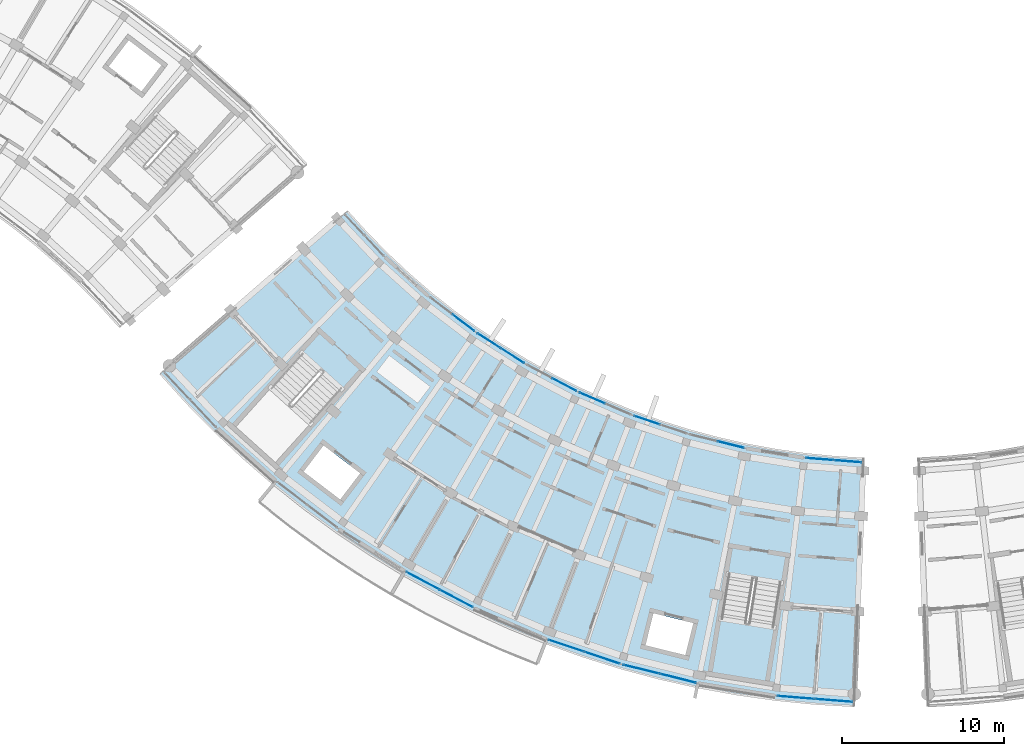
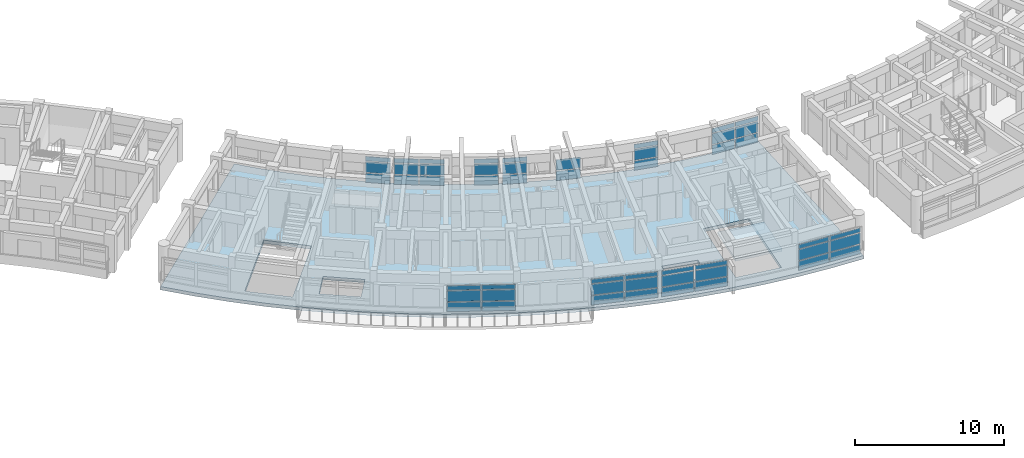
# One storey, part 24 of 55: 50 plates, 2 slabs, 12 elements without a shape of their own.
"""IFC4 building model written with IfcOpenShell, lengths in metres."""

from ifc_helpers import new_model, si_unit, direction, frame, origin, origin_2d, place, context, subcontext, project, spatial, polyline, rectangle, outline, extrude, material, layer, layer_set, type_object, element, aggregate, save


model = new_model("IFC4")

# Units and contexts
model_context = context("Model", 3, precision=1e-05, world=origin(), true_north=direction((0.0, 1.0)))
body_context = subcontext(model_context, "Body", "Model", "MODEL_VIEW")
ifc_project = project(units=[si_unit("LENGTHUNIT", "METRE"), si_unit("AREAUNIT", "SQUARE_METRE"), si_unit("VOLUMEUNIT", "CUBIC_METRE"), si_unit("PLANEANGLEUNIT", "RADIAN"), si_unit("MASSUNIT", "GRAM", prefix="KILO")], contexts=[model_context])

# Site, building, storey
site_placement = place(None, origin())
site = spatial("IfcSite", under=ifc_project, at=site_placement, CompositionType="ELEMENT")
building_placement = place(site_placement, origin())
building = spatial("IfcBuilding", under=site, at=building_placement, Name="Zimvara Arc Housing Community", CompositionType="ELEMENT")
storey_placement = place(building_placement, frame((0.0, 0.0, 14.300048828125)))
storey = spatial("IfcBuildingStorey", under=building, at=storey_placement, Name="L04", CompositionType="ELEMENT", Elevation=14.300048828125)

# Curtain wall, plates
ifc_material_1 = material(Name="Anodised Aluminium AW-6063", Category="aluminium")
curtain_wall_type_1 = type_object("IfcCurtainWallType", Name="CW-SYS-04", PredefinedType="USERDEFINED", material=ifc_material_1)
curtain_wall_1_placement = place(storey_placement, origin())
curtain_wall_1 = element("IfcCurtainWall", 1, at=curtain_wall_1_placement, inside=storey, type_object=curtain_wall_type_1, Name="cw:blkC:L04:in:b2", ObjectType="CURTAIN WALL", PredefinedType="USERDEFINED")
ifc_material_2 = material(Name="Pale-Gold Anodised Aluminium Spandrel Panel", Category="aluminium")
ifc_layer_1 = layer(ifc_material_2, 0.035888671875)
ifc_layer_set_1 = layer_set([ifc_layer_1], Name="Pale-Gold Anodised Aluminium Spandrel Panel")
plate_type_1 = type_object("IfcPlateType", Name="CWP-GLD-36", PredefinedType="CURTAIN_PANEL", material=ifc_layer_set_1)
plate_1_placement = place(storey_placement, frame((99.651123046875, 73.87158203125, 0.06494140625), z_axis=(0.0, 0.0, 1.0), x_axis=(0.795473543119, -0.605988318533, 0.0)))
plate_1 = element("IfcPlate", 2, at=plate_1_placement, type_object=plate_type_1, Name="CW04 panel 2.1", PredefinedType="CURTAIN_PANEL", context=body_context, shape_type="SweptSolid", body=[
    extrude(rectangle(XDim=1.664306640625, YDim=0.035888671875, at=origin_2d()), origin(), (0.0, 0.0, 1.0), 0.75244140625),
])
plate_2_placement = place(storey_placement, frame((99.651123046875, 73.87158203125, 0.88232421875), z_axis=(0.0, 0.0, 1.0), x_axis=(0.795473543119, -0.605988318533, 0.0)))
plate_2 = element("IfcPlate", 3, at=plate_2_placement, type_object=plate_type_1, Name="CW04 panel 2.2", PredefinedType="CURTAIN_PANEL", context=body_context, shape_type="SweptSolid", body=[
    extrude(rectangle(XDim=1.664306640625, YDim=0.035888671875, at=origin_2d()), origin(), (0.0, 0.0, 1.0), 0.885009765625),
])
plate_3_placement = place(storey_placement, frame((99.651123046875, 73.87158203125, 1.83251953125), z_axis=(0.0, 0.0, 1.0), x_axis=(0.795473543119, -0.605988318533, 0.0)))
plate_3 = element("IfcPlate", 4, at=plate_3_placement, type_object=plate_type_1, Name="CW04 panel 2.3", PredefinedType="CURTAIN_PANEL", context=body_context, shape_type="SweptSolid", body=[
    extrude(rectangle(XDim=1.664306640625, YDim=0.035888671875, at=origin_2d()), origin(), (0.0, 0.0, 1.0), 0.3525390625),
])
aggregate(curtain_wall_1, [plate_1, plate_2, plate_3])

ifc_material_3 = material(Name="Anodised Aluminium AW-6063", Category="aluminium")
curtain_wall_type_2 = type_object("IfcCurtainWallType", Name="CW-SYS-08", PredefinedType="USERDEFINED", material=ifc_material_3)
curtain_wall_2_placement = place(storey_placement, origin())
curtain_wall_2 = element("IfcCurtainWall", 5, at=curtain_wall_2_placement, inside=storey, type_object=curtain_wall_type_2, Name="cw:blkC:L04:in:b5", ObjectType="CURTAIN WALL", PredefinedType="USERDEFINED")
plate_4_placement = place(storey_placement, frame((107.57958984375, 69.2421875, 0.06494140625), z_axis=(0.0, 0.0, 1.0), x_axis=(0.918722178415, -0.394904493375, 0.0)))
plate_4 = element("IfcPlate", 6, at=plate_4_placement, type_object=plate_type_1, Name="CW08 panel 1.1", PredefinedType="CURTAIN_PANEL", context=body_context, shape_type="SweptSolid", body=[
    extrude(rectangle(XDim=1.664306640625, YDim=0.035888671875, at=origin_2d()), origin(), (0.0, 0.0, 1.0), 0.75244140625),
])
plate_5_placement = place(storey_placement, frame((107.57958984375, 69.2421875, 0.88232421875), z_axis=(0.0, 0.0, 1.0), x_axis=(0.918722178415, -0.394904493375, 0.0)))
plate_5 = element("IfcPlate", 7, at=plate_5_placement, type_object=plate_type_1, Name="CW08 panel 1.2", PredefinedType="CURTAIN_PANEL", context=body_context, shape_type="SweptSolid", body=[
    extrude(rectangle(XDim=1.664306640625, YDim=0.035888671875, at=origin_2d()), origin(), (0.0, 0.0, 1.0), 0.885009765625),
])
plate_6_placement = place(storey_placement, frame((107.57958984375, 69.2421875, 1.83251953125), z_axis=(0.0, 0.0, 1.0), x_axis=(0.918722178415, -0.394904493375, 0.0)))
plate_6 = element("IfcPlate", 8, at=plate_6_placement, type_object=plate_type_1, Name="CW08 panel 1.3", PredefinedType="CURTAIN_PANEL", context=body_context, shape_type="SweptSolid", body=[
    extrude(rectangle(XDim=1.664306640625, YDim=0.035888671875, at=origin_2d()), origin(), (0.0, 0.0, 1.0), 0.3525390625),
])
aggregate(curtain_wall_2, [plate_4, plate_5, plate_6])

curtain_wall_3_placement = place(storey_placement, origin())
curtain_wall_3 = element("IfcCurtainWall", 9, at=curtain_wall_3_placement, inside=storey, type_object=curtain_wall_type_1, Name="cw:blkC:L04:in:b7", ObjectType="CURTAIN WALL", PredefinedType="USERDEFINED")
plate_7_placement = place(storey_placement, frame((116.109375, 66.375, 0.06494140625), z_axis=(0.0, 0.0, 1.0), x_axis=(0.970716537698, -0.240227815706, 0.0)))
plate_7 = element("IfcPlate", 10, at=plate_7_placement, type_object=plate_type_1, Name="CW04 panel 2.1", PredefinedType="CURTAIN_PANEL", context=body_context, shape_type="SweptSolid", body=[
    extrude(rectangle(XDim=1.664306640625, YDim=0.035888671875, at=origin_2d()), origin(), (0.0, 0.0, 1.0), 0.75244140625),
])
plate_8_placement = place(storey_placement, frame((116.109375, 66.375, 0.88232421875), z_axis=(0.0, 0.0, 1.0), x_axis=(0.970716537698, -0.240227815706, 0.0)))
plate_8 = element("IfcPlate", 11, at=plate_8_placement, type_object=plate_type_1, Name="CW04 panel 2.2", PredefinedType="CURTAIN_PANEL", context=body_context, shape_type="SweptSolid", body=[
    extrude(rectangle(XDim=1.664306640625, YDim=0.035888671875, at=origin_2d()), origin(), (0.0, 0.0, 1.0), 0.885009765625),
])
plate_9_placement = place(storey_placement, frame((116.109375, 66.375, 1.83251953125), z_axis=(0.0, 0.0, 1.0), x_axis=(0.970716537698, -0.240227815706, 0.0)))
plate_9 = element("IfcPlate", 12, at=plate_9_placement, type_object=plate_type_1, Name="CW04 panel 2.3", PredefinedType="CURTAIN_PANEL", context=body_context, shape_type="SweptSolid", body=[
    extrude(rectangle(XDim=1.664306640625, YDim=0.035888671875, at=origin_2d()), origin(), (0.0, 0.0, 1.0), 0.3525390625),
])
aggregate(curtain_wall_3, [plate_7, plate_8, plate_9])

ifc_material_4 = material(Name="Anodised Aluminium AW-6063", Category="aluminium")
curtain_wall_type_3 = type_object("IfcCurtainWallType", Name="CW-SYS-05", PredefinedType="USERDEFINED", material=ifc_material_4)
curtain_wall_4_placement = place(storey_placement, origin())
curtain_wall_4 = element("IfcCurtainWall", 13, at=curtain_wall_4_placement, inside=storey, type_object=curtain_wall_type_3, Name="cw:blkC:L04:in:b3", ObjectType="CURTAIN WALL", PredefinedType="USERDEFINED")
ifc_material_5 = material(Name="Solar Control Low-E Double Glazing", Category="glass")
ifc_layer_2 = layer(ifc_material_5, 0.02392578125)
ifc_layer_set_2 = layer_set([ifc_layer_2], Name="Solar Control Low-E Double Glazing")
plate_type_2 = type_object("IfcPlateType", Name="CWP-GLZ-24", PredefinedType="CURTAIN_PANEL", material=ifc_layer_set_2)
plate_10_placement = place(storey_placement, frame((101.21875, 72.775634765625, 0.06494140625), z_axis=(0.0, 0.0, 1.0), x_axis=(0.842264751752, -0.539064085203, 0.0)))
plate_10 = element("IfcPlate", 14, at=plate_10_placement, type_object=plate_type_2, Name="CW05 panel 1.1", PredefinedType="CURTAIN_PANEL", context=body_context, shape_type="SweptSolid", body=[
    extrude(rectangle(XDim=1.664306640625, YDim=0.02392578125, at=origin_2d()), origin(), (0.0, 0.0, 1.0), 0.75244140625),
])
plate_11_placement = place(storey_placement, frame((101.21875, 72.775634765625, 0.88232421875), z_axis=(0.0, 0.0, 1.0), x_axis=(0.842264751752, -0.539064085203, 0.0)))
plate_11 = element("IfcPlate", 15, at=plate_11_placement, type_object=plate_type_2, Name="CW05 panel 1.2", PredefinedType="CURTAIN_PANEL", context=body_context, shape_type="SweptSolid", body=[
    extrude(rectangle(XDim=1.664306640625, YDim=0.02392578125, at=origin_2d()), origin(), (0.0, 0.0, 1.0), 0.885009765625),
])
plate_12_placement = place(storey_placement, frame((101.21875, 72.775634765625, 1.83251953125), z_axis=(0.0, 0.0, 1.0), x_axis=(0.842264751752, -0.539064085203, 0.0)))
plate_12 = element("IfcPlate", 16, at=plate_12_placement, type_object=plate_type_2, Name="CW05 panel 1.3", PredefinedType="CURTAIN_PANEL", context=body_context, shape_type="SweptSolid", body=[
    extrude(rectangle(XDim=1.664306640625, YDim=0.02392578125, at=origin_2d()), origin(), (0.0, 0.0, 1.0), 0.3525390625),
])
plate_13_placement = place(storey_placement, frame((102.67529296875, 71.843505859375, 0.06494140625), z_axis=(0.0, 0.0, 1.0), x_axis=(0.842264751752, -0.539064085203, 0.0)))
plate_13 = element("IfcPlate", 17, at=plate_13_placement, type_object=plate_type_2, Name="CW05 panel 2.1", PredefinedType="CURTAIN_PANEL", context=body_context, shape_type="SweptSolid", body=[
    extrude(rectangle(XDim=1.664306640625, YDim=0.02392578125, at=origin_2d()), origin(), (0.0, 0.0, 1.0), 0.75244140625),
])
plate_14_placement = place(storey_placement, frame((102.67529296875, 71.843505859375, 0.88232421875), z_axis=(0.0, 0.0, 1.0), x_axis=(0.842264751752, -0.539064085203, 0.0)))
plate_14 = element("IfcPlate", 18, at=plate_14_placement, type_object=plate_type_2, Name="CW05 panel 2.2", PredefinedType="CURTAIN_PANEL", context=body_context, shape_type="SweptSolid", body=[
    extrude(rectangle(XDim=1.664306640625, YDim=0.02392578125, at=origin_2d()), origin(), (0.0, 0.0, 1.0), 0.885009765625),
])
plate_15_placement = place(storey_placement, frame((102.67529296875, 71.843505859375, 1.83251953125), z_axis=(0.0, 0.0, 1.0), x_axis=(0.842264751752, -0.539064085203, 0.0)))
plate_15 = element("IfcPlate", 19, at=plate_15_placement, type_object=plate_type_2, Name="CW05 panel 2.3", PredefinedType="CURTAIN_PANEL", context=body_context, shape_type="SweptSolid", body=[
    extrude(rectangle(XDim=1.664306640625, YDim=0.02392578125, at=origin_2d()), origin(), (0.0, 0.0, 1.0), 0.3525390625),
])
aggregate(curtain_wall_4, [plate_10, plate_11, plate_12, plate_13, plate_14, plate_15])

ifc_material_6 = material(Name="Anodised Aluminium AW-6063", Category="aluminium")
curtain_wall_type_4 = type_object("IfcCurtainWallType", Name="CW-SYS-01", PredefinedType="USERDEFINED", material=ifc_material_6)
curtain_wall_5_placement = place(storey_placement, origin())
curtain_wall_5 = element("IfcCurtainWall", 20, at=curtain_wall_5_placement, inside=storey, type_object=curtain_wall_type_4, Name="cw:blkC:L04:out:b6", ObjectType="CURTAIN WALL", PredefinedType="USERDEFINED")
plate_16_placement = place(storey_placement, frame((105.970458984375, 53.993408203125, 0.06494140625), z_axis=(0.0, 0.0, 1.0), x_axis=(0.947879647164, -0.318628583921, 0.0)))
plate_16 = element("IfcPlate", 21, at=plate_16_placement, type_object=plate_type_2, Name="CW01 panel 1.1", PredefinedType="CURTAIN_PANEL", context=body_context, shape_type="SweptSolid", body=[
    extrude(rectangle(XDim=2.266845703125, YDim=0.02392578125, at=origin_2d()), origin(), (0.0, 0.0, 1.0), 0.75244140625),
])
plate_17_placement = place(storey_placement, frame((105.970458984375, 53.993408203125, 0.88232421875), z_axis=(0.0, 0.0, 1.0), x_axis=(0.947879647164, -0.318628583921, 0.0)))
plate_17 = element("IfcPlate", 22, at=plate_17_placement, type_object=plate_type_2, Name="CW01 panel 1.2", PredefinedType="CURTAIN_PANEL", context=body_context, shape_type="SweptSolid", body=[
    extrude(rectangle(XDim=2.266845703125, YDim=0.02392578125, at=origin_2d()), origin(), (0.0, 0.0, 1.0), 0.885009765625),
])
plate_18_placement = place(storey_placement, frame((105.970458984375, 53.993408203125, 1.83251953125), z_axis=(0.0, 0.0, 1.0), x_axis=(0.947879647164, -0.318628583921, 0.0)))
plate_18 = element("IfcPlate", 23, at=plate_18_placement, type_object=plate_type_2, Name="CW01 panel 1.3", PredefinedType="CURTAIN_PANEL", context=body_context, shape_type="SweptSolid", body=[
    extrude(rectangle(XDim=2.266845703125, YDim=0.02392578125, at=origin_2d()), origin(), (0.0, 0.0, 1.0), 0.3525390625),
])
plate_19_placement = place(storey_placement, frame((108.180908203125, 53.250244140625, 0.06494140625), z_axis=(0.0, 0.0, 1.0), x_axis=(0.947879647164, -0.318628583921, 0.0)))
plate_19 = element("IfcPlate", 24, at=plate_19_placement, type_object=plate_type_2, Name="CW01 panel 2.1", PredefinedType="CURTAIN_PANEL", context=body_context, shape_type="SweptSolid", body=[
    extrude(rectangle(XDim=2.266845703125, YDim=0.02392578125, at=origin_2d()), origin(), (0.0, 0.0, 1.0), 0.75244140625),
])
plate_20_placement = place(storey_placement, frame((108.180908203125, 53.250244140625, 0.88232421875), z_axis=(0.0, 0.0, 1.0), x_axis=(0.947879647164, -0.318628583921, 0.0)))
plate_20 = element("IfcPlate", 25, at=plate_20_placement, type_object=plate_type_2, Name="CW01 panel 2.2", PredefinedType="CURTAIN_PANEL", context=body_context, shape_type="SweptSolid", body=[
    extrude(rectangle(XDim=2.266845703125, YDim=0.02392578125, at=origin_2d()), origin(), (0.0, 0.0, 1.0), 0.885009765625),
])
plate_21_placement = place(storey_placement, frame((108.180908203125, 53.250244140625, 1.83251953125), z_axis=(0.0, 0.0, 1.0), x_axis=(0.947879647164, -0.318628583921, 0.0)))
plate_21 = element("IfcPlate", 26, at=plate_21_placement, type_object=plate_type_2, Name="CW01 panel 2.3", PredefinedType="CURTAIN_PANEL", context=body_context, shape_type="SweptSolid", body=[
    extrude(rectangle(XDim=2.266845703125, YDim=0.02392578125, at=origin_2d()), origin(), (0.0, 0.0, 1.0), 0.3525390625),
])
aggregate(curtain_wall_5, [plate_16, plate_17, plate_18, plate_19, plate_20, plate_21])

curtain_wall_6_placement = place(storey_placement, origin())
curtain_wall_6 = element("IfcCurtainWall", 27, at=curtain_wall_6_placement, inside=storey, type_object=curtain_wall_type_3, Name="cw:blkC:L04:out:b9", ObjectType="CURTAIN WALL", PredefinedType="USERDEFINED")
plate_22_placement = place(storey_placement, frame((120.121337890625, 50.807861328125, 0.06494140625), z_axis=(0.0, 0.0, 1.0), x_axis=(0.996862418963, -0.079153759607, 0.0)))
plate_22 = element("IfcPlate", 28, at=plate_22_placement, type_object=plate_type_2, Name="CW05 panel 1.1", PredefinedType="CURTAIN_PANEL", context=body_context, shape_type="SweptSolid", body=[
    extrude(rectangle(XDim=2.266845703125, YDim=0.02392578125, at=origin_2d()), origin(), (0.0, 0.0, 1.0), 0.75244140625),
])
plate_23_placement = place(storey_placement, frame((120.121337890625, 50.807861328125, 0.88232421875), z_axis=(0.0, 0.0, 1.0), x_axis=(0.996862418963, -0.079153759607, 0.0)))
plate_23 = element("IfcPlate", 29, at=plate_23_placement, type_object=plate_type_2, Name="CW05 panel 1.2", PredefinedType="CURTAIN_PANEL", context=body_context, shape_type="SweptSolid", body=[
    extrude(rectangle(XDim=2.266845703125, YDim=0.02392578125, at=origin_2d()), origin(), (0.0, 0.0, 1.0), 0.885009765625),
])
plate_24_placement = place(storey_placement, frame((120.121337890625, 50.807861328125, 1.83251953125), z_axis=(0.0, 0.0, 1.0), x_axis=(0.996862418963, -0.079153759607, 0.0)))
plate_24 = element("IfcPlate", 30, at=plate_24_placement, type_object=plate_type_2, Name="CW05 panel 1.3", PredefinedType="CURTAIN_PANEL", context=body_context, shape_type="SweptSolid", body=[
    extrude(rectangle(XDim=2.266845703125, YDim=0.02392578125, at=origin_2d()), origin(), (0.0, 0.0, 1.0), 0.3525390625),
])
plate_25_placement = place(storey_placement, frame((122.446044921875, 50.623291015625, 0.06494140625), z_axis=(0.0, 0.0, 1.0), x_axis=(0.996862418963, -0.079153759607, 0.0)))
plate_25 = element("IfcPlate", 31, at=plate_25_placement, type_object=plate_type_2, Name="CW05 panel 2.1", PredefinedType="CURTAIN_PANEL", context=body_context, shape_type="SweptSolid", body=[
    extrude(rectangle(XDim=2.266845703125, YDim=0.02392578125, at=origin_2d()), origin(), (0.0, 0.0, 1.0), 0.75244140625),
])
plate_26_placement = place(storey_placement, frame((122.446044921875, 50.623291015625, 0.88232421875), z_axis=(0.0, 0.0, 1.0), x_axis=(0.996862418963, -0.079153759607, 0.0)))
plate_26 = element("IfcPlate", 32, at=plate_26_placement, type_object=plate_type_2, Name="CW05 panel 2.2", PredefinedType="CURTAIN_PANEL", context=body_context, shape_type="SweptSolid", body=[
    extrude(rectangle(XDim=2.266845703125, YDim=0.02392578125, at=origin_2d()), origin(), (0.0, 0.0, 1.0), 0.885009765625),
])
plate_27_placement = place(storey_placement, frame((122.446044921875, 50.623291015625, 1.83251953125), z_axis=(0.0, 0.0, 1.0), x_axis=(0.996862418963, -0.079153759607, 0.0)))
plate_27 = element("IfcPlate", 33, at=plate_27_placement, type_object=plate_type_2, Name="CW05 panel 2.3", PredefinedType="CURTAIN_PANEL", context=body_context, shape_type="SweptSolid", body=[
    extrude(rectangle(XDim=2.266845703125, YDim=0.02392578125, at=origin_2d()), origin(), (0.0, 0.0, 1.0), 0.3525390625),
])
aggregate(curtain_wall_6, [plate_22, plate_23, plate_24, plate_25, plate_26, plate_27])

ifc_material_7 = material(Name="Anodised Aluminium AW-6063", Category="aluminium")
curtain_wall_type_5 = type_object("IfcCurtainWallType", Name="CW-SYS-06", PredefinedType="USERDEFINED", material=ifc_material_7)
curtain_wall_7_placement = place(storey_placement, origin())
curtain_wall_7 = element("IfcCurtainWall", 34, at=curtain_wall_7_placement, inside=storey, type_object=curtain_wall_type_5, Name="cw:blkC:L04:out:b4", ObjectType="CURTAIN WALL", PredefinedType="USERDEFINED")
ifc_material_8 = material(Name="Solar Control Low-E Double Glazing", Category="glass")
ifc_layer_3 = layer(ifc_material_8, 0.028076171875)
ifc_layer_set_3 = layer_set([ifc_layer_3], Name="Solar Control Low-E Double Glazing")
plate_type_3 = type_object("IfcPlateType", Name="CWP-GLZ-28", PredefinedType="CURTAIN_PANEL", material=ifc_layer_set_3)
plate_28_placement = place(storey_placement, frame((97.15087890625, 57.991455078125, 0.06494140625), z_axis=(0.0, 0.0, 1.0), x_axis=(0.883438614651, -0.468546917761, 0.0)))
plate_28 = element("IfcPlate", 35, at=plate_28_placement, type_object=plate_type_3, Name="CW06 panel 1.1", PredefinedType="CURTAIN_PANEL", context=body_context, shape_type="SweptSolid", body=[
    extrude(rectangle(XDim=2.266845703125, YDim=0.028076171875, at=origin_2d()), origin(), (0.0, 0.0, 1.0), 0.75244140625),
])
plate_29_placement = place(storey_placement, frame((97.15087890625, 57.991455078125, 0.88232421875), z_axis=(0.0, 0.0, 1.0), x_axis=(0.883438614651, -0.468546917761, 0.0)))
plate_29 = element("IfcPlate", 36, at=plate_29_placement, type_object=plate_type_3, Name="CW06 panel 1.2", PredefinedType="CURTAIN_PANEL", context=body_context, shape_type="SweptSolid", body=[
    extrude(rectangle(XDim=2.266845703125, YDim=0.028076171875, at=origin_2d()), origin(), (0.0, 0.0, 1.0), 0.885009765625),
])
plate_30_placement = place(storey_placement, frame((97.15087890625, 57.991455078125, 1.83251953125), z_axis=(0.0, 0.0, 1.0), x_axis=(0.883438614651, -0.468546917761, 0.0)))
plate_30 = element("IfcPlate", 37, at=plate_30_placement, type_object=plate_type_3, Name="CW06 panel 1.3", PredefinedType="CURTAIN_PANEL", context=body_context, shape_type="SweptSolid", body=[
    extrude(rectangle(XDim=2.266845703125, YDim=0.028076171875, at=origin_2d()), origin(), (0.0, 0.0, 1.0), 0.3525390625),
])
plate_31_placement = place(storey_placement, frame((99.2109375, 56.89892578125, 0.06494140625), z_axis=(0.0, 0.0, 1.0), x_axis=(0.883438614651, -0.468546917761, 0.0)))
plate_31 = element("IfcPlate", 38, at=plate_31_placement, type_object=plate_type_3, Name="CW06 panel 2.1", PredefinedType="CURTAIN_PANEL", context=body_context, shape_type="SweptSolid", body=[
    extrude(rectangle(XDim=2.266845703125, YDim=0.028076171875, at=origin_2d()), origin(), (0.0, 0.0, 1.0), 0.75244140625),
])
plate_32_placement = place(storey_placement, frame((99.2109375, 56.89892578125, 0.88232421875), z_axis=(0.0, 0.0, 1.0), x_axis=(0.883438614651, -0.468546917761, 0.0)))
plate_32 = element("IfcPlate", 39, at=plate_32_placement, type_object=plate_type_3, Name="CW06 panel 2.2", PredefinedType="CURTAIN_PANEL", context=body_context, shape_type="SweptSolid", body=[
    extrude(rectangle(XDim=2.266845703125, YDim=0.028076171875, at=origin_2d()), origin(), (0.0, 0.0, 1.0), 0.885009765625),
])
plate_33_placement = place(storey_placement, frame((99.2109375, 56.89892578125, 1.83251953125), z_axis=(0.0, 0.0, 1.0), x_axis=(0.883438614651, -0.468546917761, 0.0)))
plate_33 = element("IfcPlate", 40, at=plate_33_placement, type_object=plate_type_3, Name="CW06 panel 2.3", PredefinedType="CURTAIN_PANEL", context=body_context, shape_type="SweptSolid", body=[
    extrude(rectangle(XDim=2.266845703125, YDim=0.028076171875, at=origin_2d()), origin(), (0.0, 0.0, 1.0), 0.3525390625),
])
aggregate(curtain_wall_7, [plate_28, plate_29, plate_30, plate_31, plate_32, plate_33])

ifc_material_9 = material(Name="Anodised Aluminium AW-6063", Category="aluminium")
curtain_wall_type_6 = type_object("IfcCurtainWallType", Name="CW-SYS-02", PredefinedType="USERDEFINED", material=ifc_material_9)
curtain_wall_8_placement = place(storey_placement, origin())
curtain_wall_8 = element("IfcCurtainWall", 41, at=curtain_wall_8_placement, inside=storey, type_object=curtain_wall_type_6, Name="cw:blkC:L04:in:b6", ObjectType="CURTAIN WALL", PredefinedType="USERDEFINED")
plate_34_placement = place(storey_placement, frame((110.955078125, 67.87646484375, 0.06494140625), z_axis=(0.0, 0.0, 1.0), x_axis=(0.94787908732, -0.318630249383, 0.0)))
plate_34 = element("IfcPlate", 42, at=plate_34_placement, type_object=plate_type_3, Name="CW02 panel 1.1", PredefinedType="CURTAIN_PANEL", context=body_context, shape_type="SweptSolid", body=[
    extrude(rectangle(XDim=1.664306640625, YDim=0.028076171875, at=origin_2d()), origin(), (0.0, 0.0, 1.0), 0.75244140625),
])
plate_35_placement = place(storey_placement, frame((110.955078125, 67.87646484375, 0.88232421875), z_axis=(0.0, 0.0, 1.0), x_axis=(0.94787908732, -0.318630249383, 0.0)))
plate_35 = element("IfcPlate", 43, at=plate_35_placement, type_object=plate_type_3, Name="CW02 panel 1.2", PredefinedType="CURTAIN_PANEL", context=body_context, shape_type="SweptSolid", body=[
    extrude(rectangle(XDim=1.664306640625, YDim=0.028076171875, at=origin_2d()), origin(), (0.0, 0.0, 1.0), 0.885009765625),
])
aggregate(curtain_wall_8, [plate_34, plate_35])

curtain_wall_9_placement = place(storey_placement, origin())
curtain_wall_9 = element("IfcCurtainWall", 44, at=curtain_wall_9_placement, inside=storey, type_object=curtain_wall_type_5, Name="cw:blkC:L04:in:b9", ObjectType="CURTAIN WALL", PredefinedType="USERDEFINED")
plate_36_placement = place(storey_placement, frame((121.589111328125, 65.485595703125, 0.06494140625), z_axis=(0.0, 0.0, 1.0), x_axis=(0.996862343506, -0.079154709897, 0.0)))
plate_36 = element("IfcPlate", 45, at=plate_36_placement, type_object=plate_type_3, Name="CW06 panel 1.1", PredefinedType="CURTAIN_PANEL", context=body_context, shape_type="SweptSolid", body=[
    extrude(rectangle(XDim=1.664306640625, YDim=0.028076171875, at=origin_2d()), origin(), (0.0, 0.0, 1.0), 0.75244140625),
])
plate_37_placement = place(storey_placement, frame((121.589111328125, 65.485595703125, 0.88232421875), z_axis=(0.0, 0.0, 1.0), x_axis=(0.996862343506, -0.079154709897, 0.0)))
plate_37 = element("IfcPlate", 46, at=plate_37_placement, type_object=plate_type_3, Name="CW06 panel 1.2", PredefinedType="CURTAIN_PANEL", context=body_context, shape_type="SweptSolid", body=[
    extrude(rectangle(XDim=1.664306640625, YDim=0.028076171875, at=origin_2d()), origin(), (0.0, 0.0, 1.0), 0.885009765625),
])
plate_38_placement = place(storey_placement, frame((121.589111328125, 65.485595703125, 1.83251953125), z_axis=(0.0, 0.0, 1.0), x_axis=(0.996862343506, -0.079154709897, 0.0)))
plate_38 = element("IfcPlate", 47, at=plate_38_placement, type_object=plate_type_3, Name="CW06 panel 1.3", PredefinedType="CURTAIN_PANEL", context=body_context, shape_type="SweptSolid", body=[
    extrude(rectangle(XDim=1.664306640625, YDim=0.028076171875, at=origin_2d()), origin(), (0.0, 0.0, 1.0), 0.3525390625),
])
plate_39_placement = place(storey_placement, frame((123.31298828125, 65.3486328125, 0.06494140625), z_axis=(0.0, 0.0, 1.0), x_axis=(0.996862343506, -0.079154709897, 0.0)))
plate_39 = element("IfcPlate", 48, at=plate_39_placement, type_object=plate_type_3, Name="CW06 panel 2.1", PredefinedType="CURTAIN_PANEL", context=body_context, shape_type="SweptSolid", body=[
    extrude(rectangle(XDim=1.664306640625, YDim=0.028076171875, at=origin_2d()), origin(), (0.0, 0.0, 1.0), 0.75244140625),
])
plate_40_placement = place(storey_placement, frame((123.31298828125, 65.3486328125, 0.88232421875), z_axis=(0.0, 0.0, 1.0), x_axis=(0.996862343506, -0.079154709897, 0.0)))
plate_40 = element("IfcPlate", 49, at=plate_40_placement, type_object=plate_type_3, Name="CW06 panel 2.2", PredefinedType="CURTAIN_PANEL", context=body_context, shape_type="SweptSolid", body=[
    extrude(rectangle(XDim=1.664306640625, YDim=0.028076171875, at=origin_2d()), origin(), (0.0, 0.0, 1.0), 0.885009765625),
])
plate_41_placement = place(storey_placement, frame((123.31298828125, 65.3486328125, 1.83251953125), z_axis=(0.0, 0.0, 1.0), x_axis=(0.996862343506, -0.079154709897, 0.0)))
plate_41 = element("IfcPlate", 50, at=plate_41_placement, type_object=plate_type_3, Name="CW06 panel 2.3", PredefinedType="CURTAIN_PANEL", context=body_context, shape_type="SweptSolid", body=[
    extrude(rectangle(XDim=1.664306640625, YDim=0.028076171875, at=origin_2d()), origin(), (0.0, 0.0, 1.0), 0.3525390625),
])
aggregate(curtain_wall_9, [plate_36, plate_37, plate_38, plate_39, plate_40, plate_41])

ifc_material_10 = material(Name="Anodised Aluminium AW-6063", Category="aluminium")
curtain_wall_type_7 = type_object("IfcCurtainWallType", Name="CW-SYS-07", PredefinedType="USERDEFINED", material=ifc_material_10)
curtain_wall_10_placement = place(storey_placement, origin())
curtain_wall_10 = element("IfcCurtainWall", 51, at=curtain_wall_10_placement, inside=storey, type_object=curtain_wall_type_7, Name="cw:blkC:L04:in:b4", ObjectType="CURTAIN WALL", PredefinedType="USERDEFINED")
ifc_material_11 = material(Name="Acoustic Laminated Solar Glazing", Category="glass")
ifc_layer_4 = layer(ifc_material_11, 0.031982421875)
ifc_layer_set_4 = layer_set([ifc_layer_4], Name="Acoustic Laminated Solar Glazing")
plate_type_4 = type_object("IfcPlateType", Name="CWP-GLZ-32", PredefinedType="CURTAIN_PANEL", material=ifc_layer_set_4)
plate_42_placement = place(storey_placement, frame((105.854736328125, 70.068603515625, 0.06494140625), z_axis=(0.0, 0.0, 1.0), x_axis=(0.88343981815, -0.468544648573, 0.0)))
plate_42 = element("IfcPlate", 52, at=plate_42_placement, type_object=plate_type_4, Name="CW07 panel 2.1", PredefinedType="CURTAIN_PANEL", context=body_context, shape_type="SweptSolid", body=[
    extrude(rectangle(XDim=1.664306640625, YDim=0.031982421875, at=origin_2d()), origin(), (0.0, 0.0, 1.0), 0.75244140625),
])
plate_43_placement = place(storey_placement, frame((105.854736328125, 70.068603515625, 0.88232421875), z_axis=(0.0, 0.0, 1.0), x_axis=(0.88343981815, -0.468544648573, 0.0)))
plate_43 = element("IfcPlate", 53, at=plate_43_placement, type_object=plate_type_4, Name="CW07 panel 2.2", PredefinedType="CURTAIN_PANEL", context=body_context, shape_type="SweptSolid", body=[
    extrude(rectangle(XDim=1.664306640625, YDim=0.031982421875, at=origin_2d()), origin(), (0.0, 0.0, 1.0), 0.885009765625),
])
plate_44_placement = place(storey_placement, frame((105.854736328125, 70.068603515625, 1.83251953125), z_axis=(0.0, 0.0, 1.0), x_axis=(0.88343981815, -0.468544648573, 0.0)))
plate_44 = element("IfcPlate", 54, at=plate_44_placement, type_object=plate_type_4, Name="CW07 panel 2.3", PredefinedType="CURTAIN_PANEL", context=body_context, shape_type="SweptSolid", body=[
    extrude(rectangle(XDim=1.664306640625, YDim=0.031982421875, at=origin_2d()), origin(), (0.0, 0.0, 1.0), 0.3525390625),
])
aggregate(curtain_wall_10, [plate_42, plate_43, plate_44])

ifc_material_12 = material(Name="Anodised Aluminium AW-6063", Category="aluminium")
curtain_wall_type_8 = type_object("IfcCurtainWallType", Name="CW-SYS-03", PredefinedType="USERDEFINED", material=ifc_material_12)
curtain_wall_11_placement = place(storey_placement, origin())
curtain_wall_11 = element("IfcCurtainWall", 55, at=curtain_wall_11_placement, inside=storey, type_object=curtain_wall_type_8, Name="cw:blkC:L04:out:b7", ObjectType="CURTAIN WALL", PredefinedType="USERDEFINED")
plate_45_placement = place(storey_placement, frame((110.59521484375, 52.547119140625, 0.06494140625), z_axis=(0.0, 0.0, 1.0), x_axis=(0.970716068627, -0.240229711131, 0.0)))
plate_45 = element("IfcPlate", 56, at=plate_45_placement, type_object=plate_type_4, Name="CW03 panel 1.1", PredefinedType="CURTAIN_PANEL", context=body_context, shape_type="SweptSolid", body=[
    extrude(rectangle(XDim=2.266845703125, YDim=0.031982421875, at=origin_2d()), origin(), (0.0, 0.0, 1.0), 0.75244140625),
])
plate_46_placement = place(storey_placement, frame((110.59521484375, 52.547119140625, 0.88232421875), z_axis=(0.0, 0.0, 1.0), x_axis=(0.970716068627, -0.240229711131, 0.0)))
plate_46 = element("IfcPlate", 57, at=plate_46_placement, type_object=plate_type_4, Name="CW03 panel 1.2", PredefinedType="CURTAIN_PANEL", context=body_context, shape_type="SweptSolid", body=[
    extrude(rectangle(XDim=2.266845703125, YDim=0.031982421875, at=origin_2d()), origin(), (0.0, 0.0, 1.0), 0.885009765625),
])
plate_47_placement = place(storey_placement, frame((110.59521484375, 52.547119140625, 1.83251953125), z_axis=(0.0, 0.0, 1.0), x_axis=(0.970716068627, -0.240229711131, 0.0)))
plate_47 = element("IfcPlate", 58, at=plate_47_placement, type_object=plate_type_4, Name="CW03 panel 1.3", PredefinedType="CURTAIN_PANEL", context=body_context, shape_type="SweptSolid", body=[
    extrude(rectangle(XDim=2.266845703125, YDim=0.031982421875, at=origin_2d()), origin(), (0.0, 0.0, 1.0), 0.3525390625),
])
plate_48_placement = place(storey_placement, frame((112.85888671875, 51.98681640625, 0.06494140625), z_axis=(0.0, 0.0, 1.0), x_axis=(0.970716068627, -0.240229711131, 0.0)))
plate_48 = element("IfcPlate", 59, at=plate_48_placement, type_object=plate_type_4, Name="CW03 panel 2.1", PredefinedType="CURTAIN_PANEL", context=body_context, shape_type="SweptSolid", body=[
    extrude(rectangle(XDim=2.266845703125, YDim=0.031982421875, at=origin_2d()), origin(), (0.0, 0.0, 1.0), 0.75244140625),
])
plate_49_placement = place(storey_placement, frame((112.85888671875, 51.98681640625, 0.88232421875), z_axis=(0.0, 0.0, 1.0), x_axis=(0.970716068627, -0.240229711131, 0.0)))
plate_49 = element("IfcPlate", 60, at=plate_49_placement, type_object=plate_type_4, Name="CW03 panel 2.2", PredefinedType="CURTAIN_PANEL", context=body_context, shape_type="SweptSolid", body=[
    extrude(rectangle(XDim=2.266845703125, YDim=0.031982421875, at=origin_2d()), origin(), (0.0, 0.0, 1.0), 0.885009765625),
])
plate_50_placement = place(storey_placement, frame((112.85888671875, 51.98681640625, 1.83251953125), z_axis=(0.0, 0.0, 1.0), x_axis=(0.970716068627, -0.240229711131, 0.0)))
plate_50 = element("IfcPlate", 61, at=plate_50_placement, type_object=plate_type_4, Name="CW03 panel 2.3", PredefinedType="CURTAIN_PANEL", context=body_context, shape_type="SweptSolid", body=[
    extrude(rectangle(XDim=2.266845703125, YDim=0.031982421875, at=origin_2d()), origin(), (0.0, 0.0, 1.0), 0.3525390625),
])
aggregate(curtain_wall_11, [plate_45, plate_46, plate_47, plate_48, plate_49, plate_50])

# Stair, slab
ifc_material_13 = material(Name="Concrete C35/45", Category="concrete")
stair_type = type_object("IfcStairType", Name="STR-DL-310-310", PredefinedType="HALF_TURN_STAIR", material=ifc_material_13)
stair_placement = place(storey_placement, origin())
stair = element("IfcStair", 62, at=stair_placement, inside=storey, type_object=stair_type, Name="L04 Block C Exit Stair 2", PredefinedType="HALF_TURN_STAIR")
ifc_material_14 = material(Name="Concrete C35/45", Category="concrete")
ifc_layer_5 = layer(ifc_material_14, 0.199951171875)
ifc_layer_set_5 = layer_set([ifc_layer_5], Name="Concrete C35/45")
slab_type_1 = type_object("IfcSlabType", Name="SLB-STAIR-LND-200", PredefinedType="LANDING", material=ifc_layer_set_5)
slab_1_placement = place(storey_placement, frame((0.0, 0.0, 1.349853515625)))
slab_1 = element("IfcSlab", 63, at=slab_1_placement, type_object=slab_type_1, Name="ST-C2 landing 1", PredefinedType="LANDING", context=body_context, shape_type="SweptSolid", body=[
    extrude(outline(polyline([(115.4853515625, 55.691650390625), (114.942138671875, 52.345458984375), (118.2587890625, 51.80712890625), (118.8017578125, 55.1533203125), (115.4853515625, 55.691650390625)])), origin(), (0.0, 0.0, 1.0), 0.2001953125),
])
aggregate(stair, [slab_1])

# Slab
ifc_material_15 = material(Name="Concrete C35/45", Category="concrete")
ifc_layer_6 = layer(ifc_material_15, 0.263916015625)
ifc_layer_set_6 = layer_set([ifc_layer_6], Name="Concrete C35/45")
slab_type_2 = type_object("IfcSlabType", Name="SLB-VAR-11", PredefinedType="FLOOR", material=ifc_layer_set_6)
slab_2_placement = place(storey_placement, frame((0.0, 0.0, -0.26416015625)))
element("IfcSlab", 64, at=slab_2_placement, inside=storey, type_object=slab_type_2, Name="slab:blkC:L04:main", PredefinedType="FLOOR", context=body_context, shape_type="SweptSolid", body=[
    extrude(outline(polyline([(80.999267578125, 70.7587890625), (82.63330078125, 68.954833984375), (84.339599609375, 67.21923828125), (86.115234375, 65.5546875), (87.95751953125, 63.9638671875), (89.863037109375, 62.44970703125), (91.828857421875, 61.0146484375), (93.851806640625, 59.6611328125), (95.92822265625, 58.39111328125), (98.0546875, 57.20703125), (100.227783203125, 56.11083984375), (102.443603515625, 55.104248046875), (104.698974609375, 54.188720703125), (106.98974609375, 53.366455078125), (109.312255859375, 52.63818359375), (111.662353515625, 52.00537109375), (114.03662109375, 51.468994140625), (116.430419921875, 51.030029296875), (118.840576171875, 50.689208984375), (121.262451171875, 50.447021484375), (123.692138671875, 50.303955078125), (124.275634765625, 65.49267578125), (122.465576171875, 65.599365234375), (120.661376953125, 65.77978515625), (118.865966796875, 66.03369140625), (117.08251953125, 66.360595703125), (115.31396484375, 66.76025390625), (113.56298828125, 67.231689453125), (111.8330078125, 67.774169921875), (110.12646484375, 68.386962890625), (108.4462890625, 69.06884765625), (106.79541015625, 69.818603515625), (105.176513671875, 70.63525390625), (103.59228515625, 71.517333984375), (102.04541015625, 72.46337890625), (100.53857421875, 73.471923828125), (99.07421875, 74.541015625), (97.654541015625, 75.6689453125), (96.2822265625, 76.85400390625), (94.959228515625, 78.093994140625), (93.688232421875, 79.38720703125), (92.470947265625, 80.73095703125), (80.999267578125, 70.7587890625)]), holes=[polyline([(92.150390625, 69.81005859375), (88.070068359375, 65.275390625), (85.6318359375, 67.46923828125), (89.7119140625, 72.00390625), (92.150390625, 69.81005859375)]), polyline([(119.202880859375, 57.874267578125), (118.2255859375, 51.85302734375), (114.988037109375, 52.378662109375), (115.96533203125, 58.399658203125), (119.202880859375, 57.874267578125)]), polyline([(93.29541015625, 64.612060546875), (92.05908203125, 62.9892578125), (89.800048828125, 64.710205078125), (91.036376953125, 66.3330078125), (93.29541015625, 64.612060546875)]), polyline([(113.80810546875, 55.388916015625), (113.318115234375, 53.40869140625), (110.852294921875, 54.018798828125), (111.342529296875, 55.9990234375), (113.80810546875, 55.388916015625)])]), origin(), (0.0, 0.0, 1.0), 0.26416015625),
])

save(model, "model.ifc")
